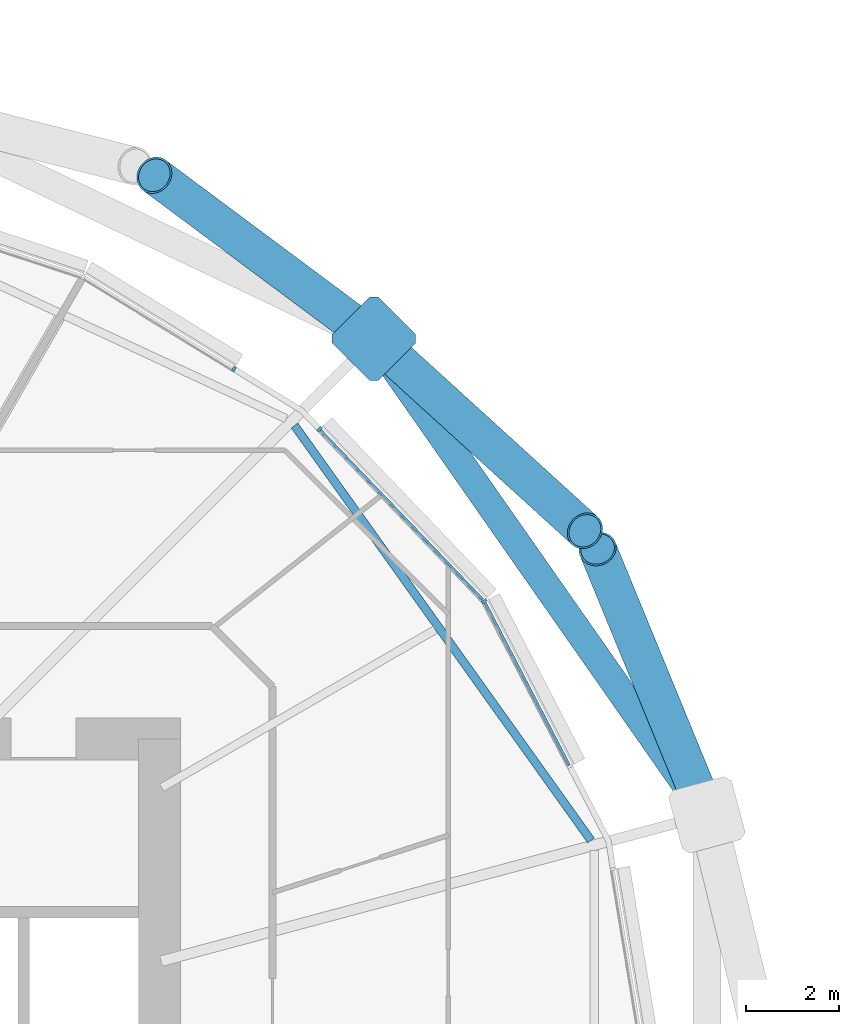
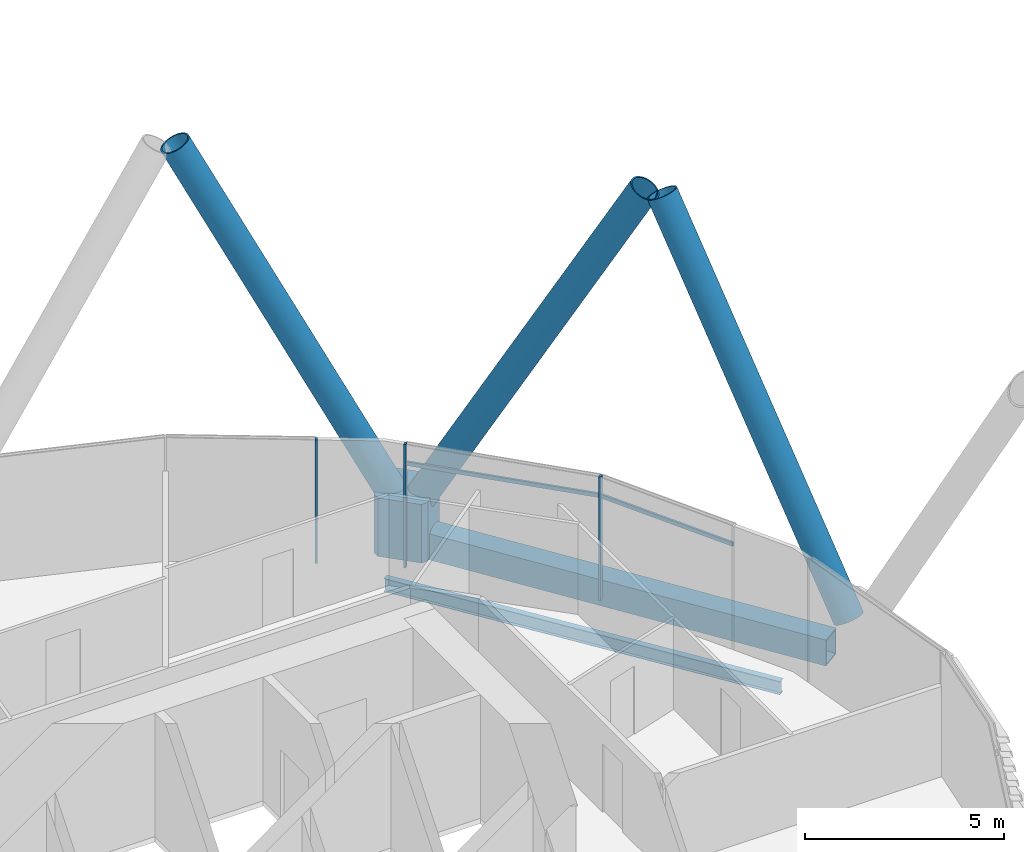
# One storey, part 12 of 34: 9 members, 2 beams, 1 element without a shape of its own.
"""IFC4 building model written with IfcOpenShell, lengths in metres."""

import ifcopenshell
import ifcopenshell.guid

model = None  # the IFC model being written
_history = None  # IfcOwnerHistory: only IFC2X3 demands one
_inside = {}  # id of a spatial element -> (the spatial element, [elements in it])
_under = {}  # id of a project, library or spatial element -> (it, [spatial elements below it])
_declared = {}  # id of a project -> (the project, [libraries it declares])
_typed = {}  # id of a type object -> (the type object, [elements of that type])
_made_of = {}  # id of a material, layer set ... -> (it, [elements and type objects made of it])


def new_model(schema):
    """Start an empty IFC model of exactly this schema.

    Asked for "IFC4X3", IfcOpenShell would pick the latest addendum, in which some entities
    have other attributes; the version numbers below select the first issue.
    IFC2X3 requires an IfcOwnerHistory on every rooted entity: one is made here for all.
    """
    global model, _history
    if schema == "IFC4X3":
        model = ifcopenshell.file(schema_version=(4, 3, 0, 0))
    else:
        model = ifcopenshell.file(schema=schema)
    _inside.clear()
    _under.clear()
    _declared.clear()
    _typed.clear()
    _made_of.clear()
    _history = None
    if model.schema == "IFC2X3":
        org = make("IfcOrganization", Name="unknown")
        user = make(
            "IfcPersonAndOrganization",
            ThePerson=make("IfcPerson", FamilyName="unknown"),
            TheOrganization=org,
        )
        app = make(
            "IfcApplication",
            ApplicationDeveloper=org,
            Version="unknown",
            ApplicationFullName="unknown",
            ApplicationIdentifier="unknown",
        )
        _history = make(
            "IfcOwnerHistory",
            OwningUser=user,
            OwningApplication=app,
            ChangeAction="ADDED",
            CreationDate=0,
        )
    return model


def make(cls, **values):
    """One entity of the class cls with the attributes given. An attribute that is None is left unset."""
    return model.create_entity(
        cls, **{name: value for name, value in values.items() if value is not None}
    )


def rooted(cls, **values):
    """An entity with a GlobalId (a new one), such as an element, a storey or a relation."""
    return make(cls, GlobalId=ifcopenshell.guid.new(), OwnerHistory=_history, **values)


def si_unit(unit_type, name, prefix=None):
    """IfcSIUnit, for example si_unit("LENGTHUNIT", "METRE", prefix="MILLI")."""
    return make("IfcSIUnit", UnitType=unit_type, Prefix=prefix, Name=name)


def assignment(units):
    """IfcUnitAssignment: the units of a project."""
    return None if units is None else make("IfcUnitAssignment", Units=units)


def point(xyz):
    """IfcCartesianPoint."""
    return None if xyz is None else make("IfcCartesianPoint", Coordinates=xyz)


def direction(xyz):
    """IfcDirection."""
    return None if xyz is None else make("IfcDirection", DirectionRatios=xyz)


def frame(location, z_axis=None, x_axis=None):
    """IfcAxis2Placement3D, a coordinate frame: its origin and axes. An axis left out is left unset."""
    return make(
        "IfcAxis2Placement3D",
        Location=point(location),
        Axis=direction(z_axis),
        RefDirection=direction(x_axis),
    )


def frame_2d(location, x_axis=None):
    """IfcAxis2Placement2D, a coordinate frame in the plane: its origin and x axis."""
    return make(
        "IfcAxis2Placement2D", Location=point(location), RefDirection=direction(x_axis)
    )


def origin():
    """The frame at (0, 0, 0) with its axes left unset."""
    return frame((0.0, 0.0, 0.0))


def origin_2d():
    """The frame at (0, 0) in the plane with its x axis left unset."""
    return frame_2d((0.0, 0.0))


def place(relative_to, where):
    """IfcLocalPlacement: puts the frame where relative to a parent placement (None: the world)."""
    return make(
        "IfcLocalPlacement", PlacementRelTo=relative_to, RelativePlacement=where
    )


def context(
    kind, dimensions, precision=None, world=None, true_north=None, identifier=None
):
    """IfcGeometricRepresentationContext, for example the 3D "Model" context."""
    return make(
        "IfcGeometricRepresentationContext",
        ContextIdentifier=identifier,
        ContextType=kind,
        CoordinateSpaceDimension=dimensions,
        Precision=precision,
        WorldCoordinateSystem=world,
        TrueNorth=true_north,
    )


def subcontext(parent, identifier, kind, view, scale=None):
    """IfcGeometricRepresentationSubContext, for example "Body" below "Model"."""
    return make(
        "IfcGeometricRepresentationSubContext",
        ContextIdentifier=identifier,
        ContextType=kind,
        ParentContext=parent,
        TargetScale=scale,
        TargetView=view,
    )


def project(units=None, contexts=None):
    """IfcProject with its units and contexts."""
    return rooted(
        "IfcProject",
        Name="project",
        RepresentationContexts=contexts,
        UnitsInContext=assignment(units),
    )


def spatial(cls, under=None, at=None, **own):
    """A site, building, storey or space (cls), placed at a placement, below another one or the project."""
    s = rooted(cls, ObjectPlacement=at, **own)
    if under is not None:
        _under.setdefault(under.id(), (under, []))[1].append(s)
    return s


def polyline(points):
    """IfcPolyline through the points."""
    return make("IfcPolyline", Points=[point(p) for p in points])


def profile(cls, at=None, kind="AREA", **sizes):
    """A parametric profile (cls). Its sizes go by their IFC names, for example OverallWidth=200.0."""
    return make(cls, ProfileType=kind, Position=at, **sizes)


def rectangle(**sizes):
    """IfcRectangleProfileDef."""
    return profile("IfcRectangleProfileDef", **sizes)


def hollow_rectangle(**sizes):
    """IfcRectangleHollowProfileDef."""
    return profile("IfcRectangleHollowProfileDef", **sizes)


def hollow_circle(**sizes):
    """IfcCircleHollowProfileDef."""
    return profile("IfcCircleHollowProfileDef", **sizes)


def i_section(**sizes):
    """IfcIShapeProfileDef."""
    return profile("IfcIShapeProfileDef", **sizes)


def outline(outer, holes=None, kind="AREA"):
    """IfcArbitraryClosedProfileDef: a profile drawn as a closed curve; with holes, ...WithVoids."""
    if holes is None:
        return make("IfcArbitraryClosedProfileDef", ProfileType=kind, OuterCurve=outer)
    return make(
        "IfcArbitraryProfileDefWithVoids",
        ProfileType=kind,
        OuterCurve=outer,
        InnerCurves=holes,
    )


def extrude(swept, where, along, depth):
    """IfcExtrudedAreaSolid: the profile swept, set in the frame where, extruded along a direction by depth."""
    return make(
        "IfcExtrudedAreaSolid",
        SweptArea=swept,
        Position=where,
        ExtrudedDirection=direction(along),
        Depth=depth,
    )


def shape(context_of_items, identifier, shape_type, items):
    """IfcShapeRepresentation: the items that make up one representation, for example the "Body"."""
    return make(
        "IfcShapeRepresentation",
        ContextOfItems=context_of_items,
        RepresentationIdentifier=identifier,
        RepresentationType=shape_type,
        Items=items,
    )


def material(Name=None, Category=None):
    """IfcMaterial."""
    return make("IfcMaterial", Name=Name, Category=Category)


def material_profile(
    of_material, cross_section, Name=None, Category=None, Priority=None
):
    """IfcMaterialProfile: a cross section and its material."""
    return make(
        "IfcMaterialProfile",
        Name=Name,
        Material=of_material,
        Profile=cross_section,
        Priority=Priority,
        Category=Category,
    )


def profile_set(profiles, Name=None, composite=None):
    """IfcMaterialProfileSet."""
    return make(
        "IfcMaterialProfileSet",
        Name=Name,
        MaterialProfiles=profiles,
        CompositeProfile=composite,
    )


def made_of(thing, what):
    """Note that an element or type object is made of a material, layer set ...; save() writes the relation."""
    if what is not None:
        _made_of.setdefault(what.id(), (what, []))[1].append(thing)
    return thing


def type_object(cls, material=None, **own):
    """A type object (cls), such as IfcWallType, which elements share."""
    return made_of(rooted(cls, **own), material)


def element(
    cls,
    number,
    at=None,
    inside=None,
    cuts=None,
    type_object=None,
    material=None,
    context=None,
    identifier="Body",
    shape_type=None,
    held_by="IfcProductDefinitionShape",
    body=None,
    shapes=None,
    **own,
):
    """One element of the class cls, such as IfcWall. Its Tag is "e" and its number.

    at: its placement. inside: the storey or other place that contains it. cuts: it is an
    opening in that element (IfcRelVoidsElement). A single representation is given by context,
    identifier, shape_type and body (its items); several are given by shapes. held_by: the class
    of the entity that holds the representations. save() writes the other relations.
    """
    e = rooted(cls, Tag="e%d" % number, ObjectPlacement=at, **own)
    if body is not None:
        shapes = [shape(context, identifier, shape_type, body)]
    if shapes is not None:
        e.Representation = make(held_by, Representations=shapes)
    if inside is not None:
        _inside.setdefault(inside.id(), (inside, []))[1].append(e)
    if cuts is not None:
        rooted(
            "IfcRelVoidsElement", RelatingBuildingElement=cuts, RelatedOpeningElement=e
        )
    if type_object is not None:
        _typed.setdefault(type_object.id(), (type_object, []))[1].append(e)
    return made_of(e, material)


def aggregate(whole, parts):
    """IfcRelAggregates: a whole, such as a stair, and the parts it consists of."""
    return rooted("IfcRelAggregates", RelatingObject=whole, RelatedObjects=parts)


def save(model, path):
    """Write the relations noted so far, then the file.

    IfcRelAggregates (storeys below a building ...), IfcRelContainedInSpatialStructure (elements
    in a storey), IfcRelDefinesByType, IfcRelAssociatesMaterial and IfcRelDeclares: one each for
    every whole, place, type object, material and project.
    """
    for whole, parts in _under.values():
        aggregate(whole, parts)
    for where, things in _inside.values():
        rooted(
            "IfcRelContainedInSpatialStructure",
            RelatedElements=things,
            RelatingStructure=where,
        )
    for kind, things in _typed.values():
        rooted("IfcRelDefinesByType", RelatedObjects=things, RelatingType=kind)
    for what, things in _made_of.values():
        rooted("IfcRelAssociatesMaterial", RelatedObjects=things, RelatingMaterial=what)
    for by, libraries in _declared.values():
        rooted("IfcRelDeclares", RelatingContext=by, RelatedDefinitions=libraries)
    model.write(path)


model = new_model("IFC4")

# Units and contexts
model_context = context("Model", 3, precision=1e-05, world=origin(), true_north=direction((0.0, 1.0)))
body_context = subcontext(model_context, "Body", "Model", "MODEL_VIEW")
ifc_project = project(units=[si_unit("LENGTHUNIT", "METRE"), si_unit("AREAUNIT", "SQUARE_METRE"), si_unit("VOLUMEUNIT", "CUBIC_METRE"), si_unit("PLANEANGLEUNIT", "RADIAN"), si_unit("MASSUNIT", "GRAM", prefix="KILO")], contexts=[model_context])

# Site, building, storey
site_placement = place(None, origin())
site = spatial("IfcSite", under=ifc_project, at=site_placement, CompositionType="ELEMENT")
building_placement = place(site_placement, origin())
building = spatial("IfcBuilding", under=site, at=building_placement, Name="Rimbun Link Towers", CompositionType="ELEMENT")
storey_placement = place(building_placement, frame((0.0, 0.0, 41.39990234375)))
storey = spatial("IfcBuildingStorey", under=building, at=storey_placement, Name="L09", CompositionType="ELEMENT", Elevation=41.39990234375)

# Curtain wall, members
ifc_material_1 = material(Name="Aluminium 6063-T6 and low-iron glass", Category="aluminium")
curtain_wall_type = type_object("IfcCurtainWallType", Name="CW1 unitised vision wall", PredefinedType="NOTDEFINED", material=ifc_material_1)
curtain_wall_placement = place(storey_placement, origin())
curtain_wall = element("IfcCurtainWall", 1, at=curtain_wall_placement, inside=storey, type_object=curtain_wall_type, Name="CW1 L09 T1", PredefinedType="NOTDEFINED")
ifc_material_2 = material(Name="Aluminium 6063-T6", Category="aluminium")
ifc_material_profile_1 = material_profile(ifc_material_2, rectangle(XDim=0.1201171875, YDim=0.06005859375, at=origin_2d()), Name="MULLION 60X120")
ifc_profile_set_1 = profile_set([ifc_material_profile_1], Name="Aluminium 6063-T6")
member_type_1 = type_object("IfcMemberType", Name="CW1 mullion 60X120", PredefinedType="MULLION", material=ifc_profile_set_1)
member_1_placement = place(storey_placement, frame((-12.772216796875, 10.963623046875, 0.0), z_axis=(0.0, 0.0, 1.0), x_axis=(0.813348990661, 0.581776090426, 0.0)))
member_1 = element("IfcMember", 2, at=member_1_placement, type_object=member_type_1, Name="CW1 mullion", PredefinedType="MULLION", context=body_context, shape_type="SweptSolid", body=[
    extrude(rectangle(XDim=0.1201171875, YDim=0.06005859375, at=origin_2d()), origin(), (0.0, 0.0, 1.0), 3.800048828125),
])
member_2_placement = place(storey_placement, frame((-16.312744140625, 14.65771484375, 0.0), z_axis=(0.0, 0.0, 1.0), x_axis=(0.721848038908, 0.692051593976, 0.0)))
member_2 = element("IfcMember", 3, at=member_2_placement, type_object=member_type_1, Name="CW1 mullion", PredefinedType="MULLION", context=body_context, shape_type="SweptSolid", body=[
    extrude(rectangle(XDim=0.1201171875, YDim=0.06005859375, at=origin_2d()), origin(), (0.0, 0.0, 1.0), 3.800048828125),
])
member_3_placement = place(storey_placement, frame((-18.154052734375, 15.953857421875, 0.0), z_axis=(0.0, 0.0, 1.0), x_axis=(0.523240552823, 0.852185029135, 0.0)))
member_3 = element("IfcMember", 4, at=member_3_placement, type_object=member_type_1, Name="CW1 mullion", PredefinedType="MULLION", context=body_context, shape_type="SweptSolid", body=[
    extrude(rectangle(XDim=0.1201171875, YDim=0.06005859375, at=origin_2d()), origin(), (0.0, 0.0, 1.0), 3.800048828125),
])
ifc_material_3 = material(Name="Aluminium 6063-T6", Category="aluminium")
ifc_material_profile_2 = material_profile(ifc_material_3, rectangle(XDim=0.06005859375, YDim=0.1201171875, at=origin_2d()), Name="TRANSOM 60X120")
ifc_profile_set_2 = profile_set([ifc_material_profile_2], Name="Aluminium 6063-T6")
member_type_2 = type_object("IfcMemberType", Name="CW1 transom 60X120", PredefinedType="USERDEFINED", material=ifc_profile_set_2)
member_4_placement = place(storey_placement, frame((-12.755615234375, 10.9287109375, 3.2001953125), z_axis=(0.459566520124, -0.888143351932, 0.0), x_axis=(0.888143351932, 0.459566520124, 0.0)))
member_4 = element("IfcMember", 5, at=member_4_placement, type_object=member_type_2, Name="CW1 transom", ObjectType="TRANSOM", PredefinedType="USERDEFINED", context=body_context, shape_type="SweptSolid", body=[
    extrude(rectangle(XDim=0.06005859375, YDim=0.1201171875, at=origin_2d()), origin(), (0.0, 0.0, 1.0), 3.93115234375),
])
member_5_placement = place(storey_placement, frame((-16.29345703125, 14.634765625, 3.2001953125), z_axis=(0.69203034464, -0.721868410513, 0.0), x_axis=(0.721868410513, 0.69203034464, 0.0)))
member_5 = element("IfcMember", 6, at=member_5_placement, type_object=member_type_2, Name="CW1 transom", ObjectType="TRANSOM", PredefinedType="USERDEFINED", context=body_context, shape_type="SweptSolid", body=[
    extrude(rectangle(XDim=0.06005859375, YDim=0.1201171875, at=origin_2d()), origin(), (0.0, 0.0, 1.0), 5.04833984375),
])
aggregate(curtain_wall, [member_1, member_2, member_3, member_4, member_5])

# Members
ifc_material_4 = material(Name="Steel S460NH", Category="steel")
ifc_material_profile_3 = material_profile(ifc_material_4, hollow_circle(Radius=0.406494140625, WallThickness=0.0400390625, at=origin_2d()), Name="Diagrid diagonal CHS 813x40")
ifc_profile_set_3 = profile_set([ifc_material_profile_3], Name="Steel S460NH")
member_type_3 = type_object("IfcMemberType", Name="Diagrid diagonal CHS 813x40", PredefinedType="BRACE", material=ifc_profile_set_3)
member_6_placement = place(storey_placement, frame((-8.079345703125, 6.594482421875, 0.435791015625), z_axis=(-0.186611684446, 0.454146340086, 0.871164267527), x_axis=(-0.924957323717, -0.380070979295, 0.0)))
element("IfcMember", 7, at=member_6_placement, inside=storey, type_object=member_type_3, Name="Diagrid diagonal T1 L09-L12 01b", PredefinedType="BRACE", context=body_context, shape_type="SweptSolid", body=[
    extrude(hollow_circle(Radius=0.406494140625, WallThickness=0.0400390625, at=origin_2d()), origin(), (0.0, 0.0, 1.0), 12.0859375),
])
member_7_placement = place(storey_placement, frame((-14.965087890625, 16.43994140625, 0.436279296875), z_axis=(0.361120506865, -0.328699802315, 0.872667416304), x_axis=(0.673130610062, 0.739523618147, 0.0)))
element("IfcMember", 8, at=member_7_placement, inside=storey, type_object=member_type_3, Name="Diagrid diagonal T1 L09-L12 03a", PredefinedType="BRACE", context=body_context, shape_type="SweptSolid", body=[
    extrude(hollow_circle(Radius=0.406494140625, WallThickness=0.0400390625, at=origin_2d()), origin(), (0.0, 0.0, 1.0), 12.063720703125),
])
member_8_placement = place(storey_placement, frame((-15.33544921875, 16.745361328125, 0.440673828125), z_axis=(-0.379351487033, 0.282417468244, 0.881097510448), x_axis=(-0.597159611982, -0.802122433184, 0.0)))
element("IfcMember", 9, at=member_8_placement, inside=storey, type_object=member_type_3, Name="Diagrid diagonal T1 L09-L12 03b", PredefinedType="BRACE", context=body_context, shape_type="SweptSolid", body=[
    extrude(hollow_circle(Radius=0.406494140625, WallThickness=0.0400390625, at=origin_2d()), origin(), (0.0, 0.0, 1.0), 11.938232421875),
])
ifc_material_5 = material(Name="Cast steel G20Mn5+QT, Rp0.2 300 MPa", Category="steel")
ifc_material_profile_4 = material_profile(ifc_material_5, outline(polyline([(0.699951171875, -0.570068359375), (0.699951171875, 0.570068359375), (0.570068359375, 0.699951171875), (-0.570068359375, 0.699951171875), (-0.699951171875, 0.570068359375), (-0.699951171875, -0.570068359375), (-0.570068359375, -0.699951171875), (0.570068359375, -0.699951171875), (0.699951171875, -0.570068359375)])), Name="NODE 1400x1400")
ifc_profile_set_4 = profile_set([ifc_material_profile_4], Name="Cast steel G20Mn5+QT, Rp0.2 300 MPa")
member_type_4 = type_object("IfcMemberType", Name="Diagrid node cast 1400", PredefinedType="USERDEFINED", material=ifc_profile_set_4)
member_9_placement = place(storey_placement, frame((-15.145751953125, 16.604248046875, -0.89990234375), z_axis=(0.0, 0.0, 1.0), x_axis=(0.707106781187, 0.707106781187, 0.0)))
element("IfcMember", 10, at=member_9_placement, inside=storey, type_object=member_type_4, Name="Diagrid node L09 03", ObjectType="Diagrid node", PredefinedType="USERDEFINED", context=body_context, shape_type="SweptSolid", body=[
    extrude(outline(polyline([(0.699951171875, -0.570068359375), (0.699951171875, 0.570068359375), (0.570068359375, 0.699951171875), (-0.570068359375, 0.699951171875), (-0.699951171875, 0.570068359375), (-0.699951171875, -0.570068359375), (-0.570068359375, -0.699951171875), (0.570068359375, -0.699951171875), (0.699951171875, -0.570068359375)])), origin(), (0.0, 0.0, 1.0), 1.800048828125),
])

# Beams
ifc_material_6 = material(Name="Steel S355J2", Category="steel")
ifc_material_profile_5 = material_profile(ifc_material_6, hollow_rectangle(XDim=0.60009765625, YDim=0.800048828125, WallThickness=0.0400390625, at=origin_2d()), Name="Exoskeleton ring girder BOX 600x800x40")
ifc_profile_set_5 = profile_set([ifc_material_profile_5], Name="Steel S355J2")
beam_type_1 = type_object("IfcBeamType", Name="Exoskeleton ring girder BOX 600x800x40", PredefinedType="BEAM", material=ifc_profile_set_5)
beam_1_placement = place(storey_placement, frame((-8.38720703125, 6.941162109375, -0.559814453125), z_axis=(-0.57315208887, 0.819449011852, 0.0), x_axis=(-0.819449011852, -0.57315208887, 0.0)))
element("IfcBeam", 11, at=beam_1_placement, inside=storey, type_object=beam_type_1, Name="Exoskeleton ring girder L09 00", PredefinedType="BEAM", context=body_context, shape_type="SweptSolid", body=[
    extrude(hollow_rectangle(XDim=0.60009765625, YDim=0.800048828125, WallThickness=0.0400390625, at=origin_2d()), origin(), (0.0, 0.0, 1.0), 11.092041015625),
])
ifc_material_7 = material(Name="Steel S355J2", Category="steel")
ifc_material_profile_6 = material_profile(ifc_material_7, i_section(OverallWidth=0.177978515625, OverallDepth=0.406494140625, WebThickness=0.0078125, FlangeThickness=0.0126953125, at=origin_2d()), Name="UB 406x178x60")
ifc_profile_set_6 = profile_set([ifc_material_profile_6], Name="Steel S355J2")
beam_type_2 = type_object("IfcBeamType", Name="UB 406x178x60", PredefinedType="BEAM", material=ifc_profile_set_6)
beam_2_placement = place(storey_placement, frame((-10.477783203125, 5.818603515625, -0.363037109375), z_axis=(-0.581413053043, 0.813608543312, 0.0), x_axis=(-0.813608543312, -0.581413053043, 0.0)))
element("IfcBeam", 12, at=beam_2_placement, inside=storey, type_object=beam_type_2, Name="Edge beam T1 L09 01-03", PredefinedType="BEAM", context=body_context, shape_type="SweptSolid", body=[
    extrude(i_section(OverallWidth=0.177978515625, OverallDepth=0.406494140625, WebThickness=0.0078125, FlangeThickness=0.0126953125, at=origin_2d()), origin(), (0.0, 0.0, 1.0), 10.96142578125),
])

save(model, "model.ifc")
